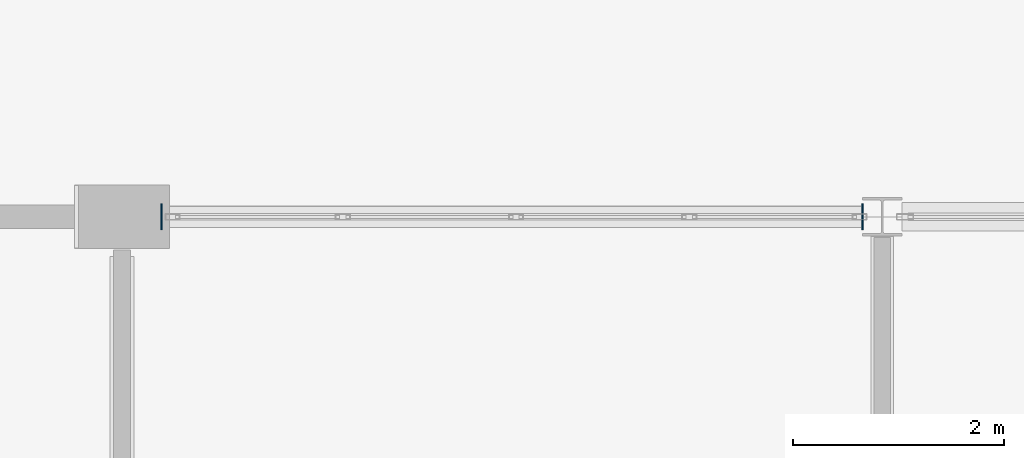
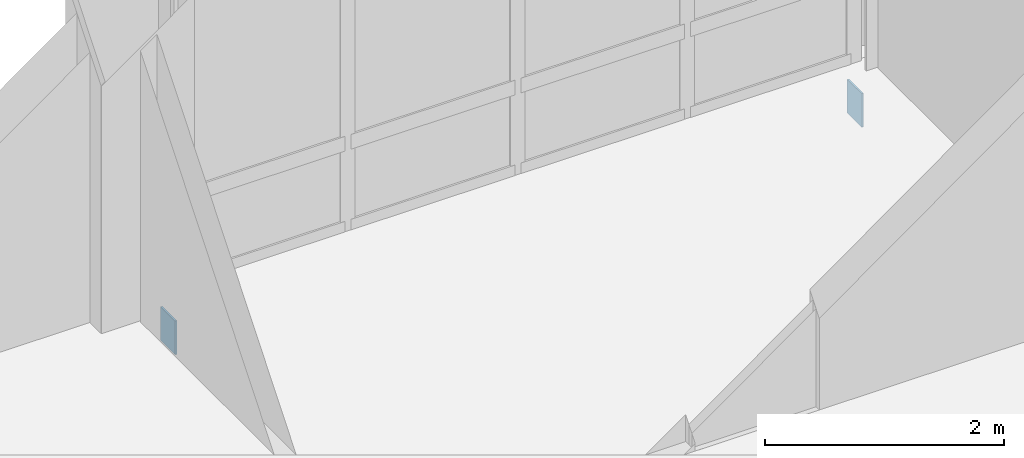
# One storey, part 173 of 229: 2 plates.
"""IFC4 building model written with IfcOpenShell, lengths in metres."""

from ifc_helpers import new_model, si_unit, direction, frame, origin, origin_2d, place, context, subcontext, project, spatial, rectangle, extrude, material, layer, layer_set, type_object, element, save


model = new_model("IFC4")

# Units and contexts
model_context = context("Model", 3, precision=1e-05, world=origin(), true_north=direction((0.0, 1.0)))
body_context = subcontext(model_context, "Body", "Model", "MODEL_VIEW")
ifc_project = project(units=[si_unit("LENGTHUNIT", "METRE"), si_unit("AREAUNIT", "SQUARE_METRE"), si_unit("VOLUMEUNIT", "CUBIC_METRE"), si_unit("PLANEANGLEUNIT", "RADIAN"), si_unit("MASSUNIT", "GRAM", prefix="KILO")], contexts=[model_context])

# Site, building, storey
site_placement = place(None, origin())
site = spatial("IfcSite", under=ifc_project, at=site_placement, CompositionType="ELEMENT")
building_placement = place(site_placement, origin())
building = spatial("IfcBuilding", under=site, at=building_placement, Name="Calvrana Isthmian Art Gallery", CompositionType="ELEMENT")
storey_placement = place(building_placement, origin())
storey = spatial("IfcBuildingStorey", under=building, at=storey_placement, Name="L00", CompositionType="ELEMENT", Elevation=0.0)

# Plates
ifc_material = material(Name="Steel ASTM A572 Gr 50", Category="steel")
ifc_layer = layer(ifc_material, 0.01611328125, Name="Steel ASTM A572 Gr 50")
ifc_layer_set = layer_set([ifc_layer], Name="Steel ASTM A572 Gr 50")
plate_type = type_object("IfcPlateType", Name="PL-CAP-16", PredefinedType="SHEET", material=ifc_layer_set)
for number, where, z_axis, x_axis, name in (
    (1, (14.77490234375, 112.800048828125, -0.60986328125), (0.0, 0.0, 1.0), (1.0, 0.0, 0.0), "Hollow section end cap plate 397"),
    (2, (21.41357421875, 112.800048828125, -0.60986328125), (0.0, 0.0, 1.0), (1.0, 0.0, 0.0), "Hollow section end cap plate 398"),
):
    element("IfcPlate", number, at=place(storey_placement, frame(where, z_axis=z_axis, x_axis=x_axis)), inside=storey, type_object=plate_type, Name=name, PredefinedType="SHEET", context=body_context, shape_type="SweptSolid", body=[
        extrude(rectangle(XDim=0.01611328125, YDim=0.2431640625, at=origin_2d()), origin(), (0.0, 0.0, 1.0), 0.3447265625),
    ])

save(model, "model.ifc")
